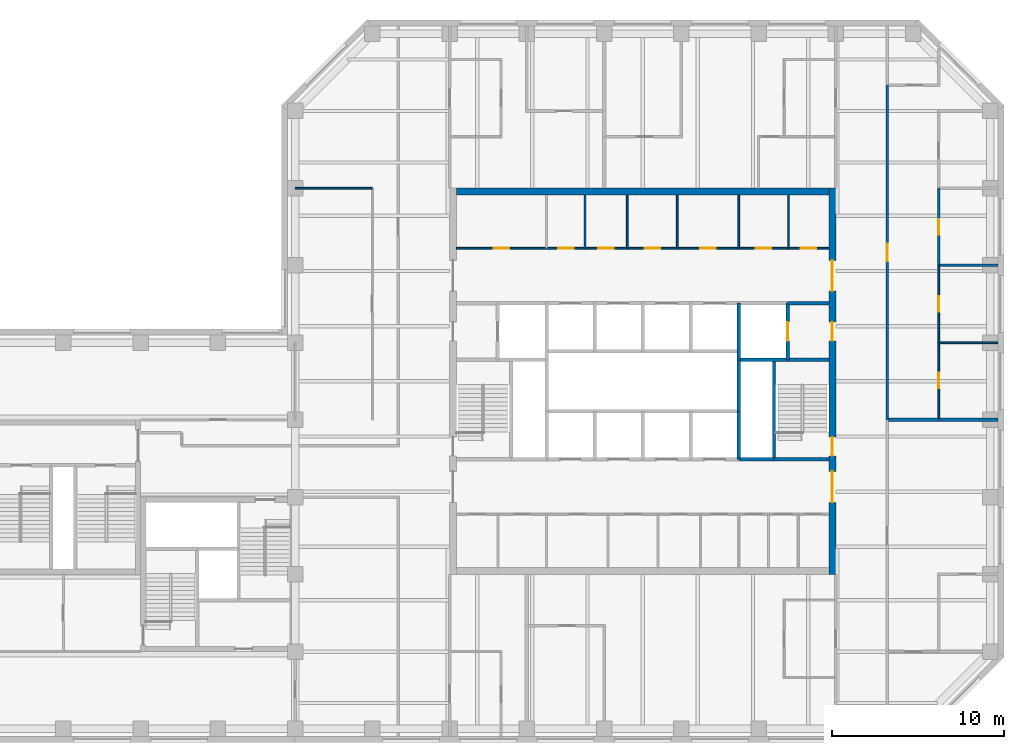
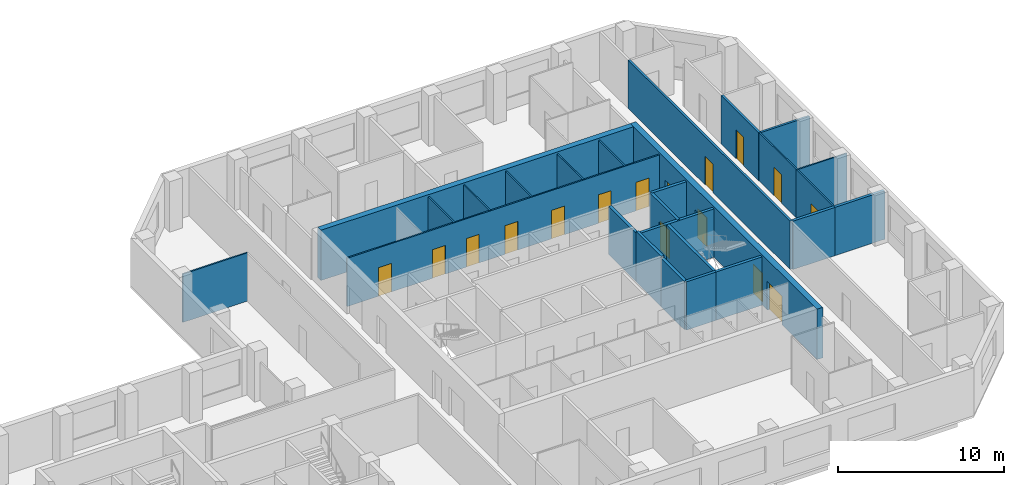
# One storey, part 6 of 9: 26 walls, 16 doors, 16 openings.
"""IFC4 building model written with IfcOpenShell, lengths in metres."""

import ifcopenshell
import ifcopenshell.guid

model = None  # the IFC model being written
_history = None  # IfcOwnerHistory: only IFC2X3 demands one
_inside = {}  # id of a spatial element -> (the spatial element, [elements in it])
_under = {}  # id of a project, library or spatial element -> (it, [spatial elements below it])
_declared = {}  # id of a project -> (the project, [libraries it declares])
_typed = {}  # id of a type object -> (the type object, [elements of that type])
_made_of = {}  # id of a material, layer set ... -> (it, [elements and type objects made of it])


def new_model(schema):
    """Start an empty IFC model of exactly this schema.

    Asked for "IFC4X3", IfcOpenShell would pick the latest addendum, in which some entities
    have other attributes; the version numbers below select the first issue.
    IFC2X3 requires an IfcOwnerHistory on every rooted entity: one is made here for all.
    """
    global model, _history
    if schema == "IFC4X3":
        model = ifcopenshell.file(schema_version=(4, 3, 0, 0))
    else:
        model = ifcopenshell.file(schema=schema)
    _inside.clear()
    _under.clear()
    _declared.clear()
    _typed.clear()
    _made_of.clear()
    _history = None
    if model.schema == "IFC2X3":
        org = make("IfcOrganization", Name="unknown")
        user = make(
            "IfcPersonAndOrganization",
            ThePerson=make("IfcPerson", FamilyName="unknown"),
            TheOrganization=org,
        )
        app = make(
            "IfcApplication",
            ApplicationDeveloper=org,
            Version="unknown",
            ApplicationFullName="unknown",
            ApplicationIdentifier="unknown",
        )
        _history = make(
            "IfcOwnerHistory",
            OwningUser=user,
            OwningApplication=app,
            ChangeAction="ADDED",
            CreationDate=0,
        )
    return model


def make(cls, **values):
    """One entity of the class cls with the attributes given. An attribute that is None is left unset."""
    return model.create_entity(
        cls, **{name: value for name, value in values.items() if value is not None}
    )


def rooted(cls, **values):
    """An entity with a GlobalId (a new one), such as an element, a storey or a relation."""
    return make(cls, GlobalId=ifcopenshell.guid.new(), OwnerHistory=_history, **values)


def si_unit(unit_type, name, prefix=None):
    """IfcSIUnit, for example si_unit("LENGTHUNIT", "METRE", prefix="MILLI")."""
    return make("IfcSIUnit", UnitType=unit_type, Prefix=prefix, Name=name)


def assignment(units):
    """IfcUnitAssignment: the units of a project."""
    return None if units is None else make("IfcUnitAssignment", Units=units)


def point(xyz):
    """IfcCartesianPoint."""
    return None if xyz is None else make("IfcCartesianPoint", Coordinates=xyz)


def direction(xyz):
    """IfcDirection."""
    return None if xyz is None else make("IfcDirection", DirectionRatios=xyz)


def frame(location, z_axis=None, x_axis=None):
    """IfcAxis2Placement3D, a coordinate frame: its origin and axes. An axis left out is left unset."""
    return make(
        "IfcAxis2Placement3D",
        Location=point(location),
        Axis=direction(z_axis),
        RefDirection=direction(x_axis),
    )


def frame_2d(location, x_axis=None):
    """IfcAxis2Placement2D, a coordinate frame in the plane: its origin and x axis."""
    return make(
        "IfcAxis2Placement2D", Location=point(location), RefDirection=direction(x_axis)
    )


def origin():
    """The frame at (0, 0, 0) with its axes left unset."""
    return frame((0.0, 0.0, 0.0))


def place(relative_to, where):
    """IfcLocalPlacement: puts the frame where relative to a parent placement (None: the world)."""
    return make(
        "IfcLocalPlacement", PlacementRelTo=relative_to, RelativePlacement=where
    )


def context(
    kind, dimensions, precision=None, world=None, true_north=None, identifier=None
):
    """IfcGeometricRepresentationContext, for example the 3D "Model" context."""
    return make(
        "IfcGeometricRepresentationContext",
        ContextIdentifier=identifier,
        ContextType=kind,
        CoordinateSpaceDimension=dimensions,
        Precision=precision,
        WorldCoordinateSystem=world,
        TrueNorth=true_north,
    )


def subcontext(parent, identifier, kind, view, scale=None):
    """IfcGeometricRepresentationSubContext, for example "Body" below "Model"."""
    return make(
        "IfcGeometricRepresentationSubContext",
        ContextIdentifier=identifier,
        ContextType=kind,
        ParentContext=parent,
        TargetScale=scale,
        TargetView=view,
    )


def project(units=None, contexts=None):
    """IfcProject with its units and contexts."""
    return rooted(
        "IfcProject",
        Name="project",
        RepresentationContexts=contexts,
        UnitsInContext=assignment(units),
    )


def spatial(cls, under=None, at=None, **own):
    """A site, building, storey or space (cls), placed at a placement, below another one or the project."""
    s = rooted(cls, ObjectPlacement=at, **own)
    if under is not None:
        _under.setdefault(under.id(), (under, []))[1].append(s)
    return s


def profile(cls, at=None, kind="AREA", **sizes):
    """A parametric profile (cls). Its sizes go by their IFC names, for example OverallWidth=200.0."""
    return make(cls, ProfileType=kind, Position=at, **sizes)


def rectangle(**sizes):
    """IfcRectangleProfileDef."""
    return profile("IfcRectangleProfileDef", **sizes)


def extrude(swept, where, along, depth):
    """IfcExtrudedAreaSolid: the profile swept, set in the frame where, extruded along a direction by depth."""
    return make(
        "IfcExtrudedAreaSolid",
        SweptArea=swept,
        Position=where,
        ExtrudedDirection=direction(along),
        Depth=depth,
    )


def shape(context_of_items, identifier, shape_type, items):
    """IfcShapeRepresentation: the items that make up one representation, for example the "Body"."""
    return make(
        "IfcShapeRepresentation",
        ContextOfItems=context_of_items,
        RepresentationIdentifier=identifier,
        RepresentationType=shape_type,
        Items=items,
    )


def material(Name=None, Category=None):
    """IfcMaterial."""
    return make("IfcMaterial", Name=Name, Category=Category)


def layer(
    of_material, thickness, ventilated=None, Name=None, Category=None, Priority=None
):
    """IfcMaterialLayer: one layer of a wall or slab, of a material (None: an air gap)."""
    return make(
        "IfcMaterialLayer",
        Material=of_material,
        LayerThickness=thickness,
        IsVentilated=ventilated,
        Name=Name,
        Category=Category,
        Priority=Priority,
    )


def layer_set(layers, Name=None):
    """IfcMaterialLayerSet."""
    return make("IfcMaterialLayerSet", MaterialLayers=layers, LayerSetName=Name)


def made_of(thing, what):
    """Note that an element or type object is made of a material, layer set ...; save() writes the relation."""
    if what is not None:
        _made_of.setdefault(what.id(), (what, []))[1].append(thing)
    return thing


def type_object(cls, material=None, **own):
    """A type object (cls), such as IfcWallType, which elements share."""
    return made_of(rooted(cls, **own), material)


def element(
    cls,
    number,
    at=None,
    inside=None,
    cuts=None,
    type_object=None,
    material=None,
    context=None,
    identifier="Body",
    shape_type=None,
    held_by="IfcProductDefinitionShape",
    body=None,
    shapes=None,
    **own,
):
    """One element of the class cls, such as IfcWall. Its Tag is "e" and its number.

    at: its placement. inside: the storey or other place that contains it. cuts: it is an
    opening in that element (IfcRelVoidsElement). A single representation is given by context,
    identifier, shape_type and body (its items); several are given by shapes. held_by: the class
    of the entity that holds the representations. save() writes the other relations.
    """
    e = rooted(cls, Tag="e%d" % number, ObjectPlacement=at, **own)
    if body is not None:
        shapes = [shape(context, identifier, shape_type, body)]
    if shapes is not None:
        e.Representation = make(held_by, Representations=shapes)
    if inside is not None:
        _inside.setdefault(inside.id(), (inside, []))[1].append(e)
    if cuts is not None:
        rooted(
            "IfcRelVoidsElement", RelatingBuildingElement=cuts, RelatedOpeningElement=e
        )
    if type_object is not None:
        _typed.setdefault(type_object.id(), (type_object, []))[1].append(e)
    return made_of(e, material)


def fill(opening, filler):
    """IfcRelFillsElement: the door or window that sits in an opening."""
    return rooted(
        "IfcRelFillsElement",
        RelatingOpeningElement=opening,
        RelatedBuildingElement=filler,
    )


def aggregate(whole, parts):
    """IfcRelAggregates: a whole, such as a stair, and the parts it consists of."""
    return rooted("IfcRelAggregates", RelatingObject=whole, RelatedObjects=parts)


def save(model, path):
    """Write the relations noted so far, then the file.

    IfcRelAggregates (storeys below a building ...), IfcRelContainedInSpatialStructure (elements
    in a storey), IfcRelDefinesByType, IfcRelAssociatesMaterial and IfcRelDeclares: one each for
    every whole, place, type object, material and project.
    """
    for whole, parts in _under.values():
        aggregate(whole, parts)
    for where, things in _inside.values():
        rooted(
            "IfcRelContainedInSpatialStructure",
            RelatedElements=things,
            RelatingStructure=where,
        )
    for kind, things in _typed.values():
        rooted("IfcRelDefinesByType", RelatedObjects=things, RelatingType=kind)
    for what, things in _made_of.values():
        rooted("IfcRelAssociatesMaterial", RelatedObjects=things, RelatingMaterial=what)
    for by, libraries in _declared.values():
        rooted("IfcRelDeclares", RelatingContext=by, RelatedDefinitions=libraries)
    model.write(path)


model = new_model("IFC4")

# Units and contexts
model_context = context("Model", 3, precision=1e-05, world=origin(), true_north=direction((0.0, 1.0)))
body_context = subcontext(model_context, "Body", "Model", "MODEL_VIEW")
ifc_project = project(units=[si_unit("LENGTHUNIT", "METRE"), si_unit("AREAUNIT", "SQUARE_METRE"), si_unit("VOLUMEUNIT", "CUBIC_METRE"), si_unit("PLANEANGLEUNIT", "RADIAN"), si_unit("MASSUNIT", "GRAM", prefix="KILO")], contexts=[model_context])

# Site, building, storey
site_placement = place(None, origin())
site = spatial("IfcSite", under=ifc_project, at=site_placement, CompositionType="ELEMENT")
building_placement = place(site_placement, origin())
building = spatial("IfcBuilding", under=site, at=building_placement, Name="Quoin Convention Tower", CompositionType="ELEMENT")
storey_placement = place(building_placement, frame((0.0, 0.0, 226.699951171875)))
storey = spatial("IfcBuildingStorey", under=building, at=storey_placement, Name="L59", CompositionType="ELEMENT", Elevation=226.699951171875)

# Wall
ifc_material_1 = material(Name="Plasterboard")
ifc_layer_1 = layer(ifc_material_1, 0.012451171875, Name="Finish")
ifc_material_2 = material(Name="Steel stud framing", Category="steel")
ifc_layer_2 = layer(ifc_material_2, 0.125, Name="Structure")
ifc_layer_3 = layer(ifc_material_1, 0.012451171875, Name="Finish")
ifc_layer_set_1 = layer_set([ifc_layer_1, ifc_layer_2, ifc_layer_3], Name="Steel stud framing")
wall_type_1 = type_object("IfcWallType", Name="Acoustic partition 150", PredefinedType="PARTITIONING", material=ifc_layer_set_1)
wall_1_placement = place(storey_placement, frame((73.574951171875, 67.5, 0.0), z_axis=(0.0, 0.0, 1.0), x_axis=(1.0, 0.0, 0.0)))
element("IfcWall", 1, at=wall_1_placement, inside=storey, type_object=wall_type_1, Name="pw-L59-022", PredefinedType="PARTITIONING", context=body_context, shape_type="SweptSolid", body=[
    extrude(rectangle(XDim=3.375, YDim=0.14990234375, at=frame_2d((1.6875, 0.0))), origin(), (0.0, 0.0, 1.0), 3.550048828125),
])

# Wall, opening, door
wall_2_placement = place(storey_placement, frame((73.5, 67.5, 0.0), z_axis=(0.0, 0.0, 1.0), x_axis=(0.0, 1.0, 0.0)))
wall_2 = element("IfcWall", 2, at=wall_2_placement, inside=storey, type_object=wall_type_1, Name="pw-L59-065", PredefinedType="PARTITIONING", context=body_context, shape_type="SweptSolid", body=[
    extrude(rectangle(XDim=4.5, YDim=0.14990234375, at=frame_2d((2.25, 0.0))), origin(), (0.0, 0.0, 1.0), 3.550048828125),
])
opening_1_placement = place(wall_2_placement, frame((1.800048828125, 0.0, 0.0)))
opening_1 = element("IfcOpeningElement", 3, at=opening_1_placement, cuts=wall_2, Name="Opening DOH10-18", PredefinedType="OPENING", context=body_context, shape_type="SweptSolid", body=[
    extrude(rectangle(XDim=0.89990234375, YDim=2.10009765625, at=frame_2d((0.449951171875, 1.050048828125))), frame((0.0, 0.0849609375, 0.0), z_axis=(0.0, -1.0, 0.0), x_axis=(1.0, 0.0, 0.0)), (0.0, 0.0, 1.0), 0.169921875),
])
ifc_material_3 = material(Name="Steel door leaf", Category="steel")
door_type_1 = type_object("IfcDoorType", Name="Office door 900 x 2100", OperationType="SINGLE_SWING_RIGHT", PredefinedType="DOOR", material=ifc_material_3)
door_1_placement = place(opening_1_placement, origin())
door_1 = element("IfcDoor", 4, at=door_1_placement, inside=storey, type_object=door_type_1, Name="dr-L59-29", OperationType="SINGLE_SWING_RIGHT", OverallHeight=2.10009765625, OverallWidth=0.89990234375, PredefinedType="DOOR", context=body_context, shape_type="SweptSolid", body=[
    extrude(rectangle(XDim=0.89990234375, YDim=2.10009765625, at=frame_2d((0.449951171875, 1.050048828125))), frame((0.0, 0.02490234375, 0.0), z_axis=(0.0, -1.0, 0.0), x_axis=(1.0, 0.0, 0.0)), (0.0, 0.0, 1.0), 0.050048828125),
])
fill(opening_1, door_1)

# Wall, openings, doors
ifc_layer_4 = layer(ifc_material_1, 0.012451171875, Name="Finish")
ifc_layer_5 = layer(ifc_material_2, 0.074951171875, Name="Structure")
ifc_layer_6 = layer(ifc_material_1, 0.012451171875, Name="Finish")
ifc_layer_set_2 = layer_set([ifc_layer_4, ifc_layer_5, ifc_layer_6], Name="Steel stud framing")
wall_type_2 = type_object("IfcWallType", Name="Core partition wall", PredefinedType="PARTITIONING", material=ifc_layer_set_2)
wall_3_placement = place(storey_placement, frame((45.39990234375, 68.5, 0.0), z_axis=(0.0, 0.0, 1.0), x_axis=(1.0, 0.0, 0.0)))
wall_3 = element("IfcWall", 5, at=wall_3_placement, inside=storey, type_object=wall_type_2, Name="cr-C1-L59-h19000_400", PredefinedType="PARTITIONING", context=body_context, shape_type="SweptSolid", body=[
    extrude(rectangle(XDim=21.7001953125, YDim=0.10009765625, at=frame_2d((10.85009765625, 0.0))), origin(), (0.0, 0.0, 1.0), 3.550048828125),
])
opening_2_placement = place(wall_3_placement, frame((20.06884765625, 0.0, 0.0)))
opening_2 = element("IfcOpeningElement", 6, at=opening_2_placement, cuts=wall_3, Name="Opening DCV2-13", PredefinedType="OPENING", context=body_context, shape_type="SweptSolid", body=[
    extrude(rectangle(XDim=0.89990234375, YDim=2.10009765625, at=frame_2d((0.449951171875, 1.050048828125))), frame((0.0, 0.06005859375, 0.0), z_axis=(0.0, -1.0, 0.0), x_axis=(1.0, 0.0, 0.0)), (0.0, 0.0, 1.0), 0.1201171875),
])
opening_3_placement = place(wall_3_placement, frame((17.44384765625, 0.0, 0.0)))
opening_3 = element("IfcOpeningElement", 7, at=opening_3_placement, cuts=wall_3, Name="Opening DCV2-12", PredefinedType="OPENING", context=body_context, shape_type="SweptSolid", body=[
    extrude(rectangle(XDim=0.89990234375, YDim=2.10009765625, at=frame_2d((0.449951171875, 1.050048828125))), frame((0.0, 0.06005859375, 0.0), z_axis=(0.0, -1.0, 0.0), x_axis=(1.0, 0.0, 0.0)), (0.0, 0.0, 1.0), 0.1201171875),
])
opening_4_placement = place(wall_3_placement, frame((2.175048828125, 0.0, 0.0)))
opening_4 = element("IfcOpeningElement", 8, at=opening_4_placement, cuts=wall_3, Name="Opening DCV2-05", PredefinedType="OPENING", context=body_context, shape_type="SweptSolid", body=[
    extrude(rectangle(XDim=0.89990234375, YDim=2.10009765625, at=frame_2d((0.449951171875, 1.050048828125))), frame((0.0, 0.06005859375, 0.0), z_axis=(0.0, -1.0, 0.0), x_axis=(1.0, 0.0, 0.0)), (0.0, 0.0, 1.0), 0.1201171875),
])
opening_5_placement = place(wall_3_placement, frame((14.2080078125, 0.0, 0.0)))
opening_5 = element("IfcOpeningElement", 9, at=opening_5_placement, cuts=wall_3, Name="Opening DCV2-11", PredefinedType="OPENING", context=body_context, shape_type="SweptSolid", body=[
    extrude(rectangle(XDim=0.89990234375, YDim=2.10009765625, at=frame_2d((0.449951171875, 1.050048828125))), frame((0.0, 0.06005859375, 0.0), z_axis=(0.0, -1.0, 0.0), x_axis=(1.0, 0.0, 0.0)), (0.0, 0.0, 1.0), 0.1201171875),
])
opening_6_placement = place(wall_3_placement, frame((10.9599609375, 0.0, 0.0)))
opening_6 = element("IfcOpeningElement", 10, at=opening_6_placement, cuts=wall_3, Name="Opening DCV2-09", PredefinedType="OPENING", context=body_context, shape_type="SweptSolid", body=[
    extrude(rectangle(XDim=0.89990234375, YDim=2.10009765625, at=frame_2d((0.449951171875, 1.050048828125))), frame((0.0, 0.06005859375, 0.0), z_axis=(0.0, -1.0, 0.0), x_axis=(1.0, 0.0, 0.0)), (0.0, 0.0, 1.0), 0.1201171875),
])
opening_7_placement = place(wall_3_placement, frame((8.27197265625, 0.0, 0.0)))
opening_7 = element("IfcOpeningElement", 11, at=opening_7_placement, cuts=wall_3, Name="Opening DCV2-08", PredefinedType="OPENING", context=body_context, shape_type="SweptSolid", body=[
    extrude(rectangle(XDim=0.89990234375, YDim=2.10009765625, at=frame_2d((0.449951171875, 1.050048828125))), frame((0.0, 0.06005859375, 0.0), z_axis=(0.0, -1.0, 0.0), x_axis=(1.0, 0.0, 0.0)), (0.0, 0.0, 1.0), 0.1201171875),
])
opening_8_placement = place(wall_3_placement, frame((5.919921875, 0.0, 0.0)))
opening_8 = element("IfcOpeningElement", 12, at=opening_8_placement, cuts=wall_3, Name="Opening DCV2-06", PredefinedType="OPENING", context=body_context, shape_type="SweptSolid", body=[
    extrude(rectangle(XDim=0.89990234375, YDim=2.10009765625, at=frame_2d((0.449951171875, 1.050048828125))), frame((0.0, 0.06005859375, 0.0), z_axis=(0.0, -1.0, 0.0), x_axis=(1.0, 0.0, 0.0)), (0.0, 0.0, 1.0), 0.1201171875),
])
door_type_2 = type_object("IfcDoorType", Name="Core room door 900 x 2100", OperationType="SINGLE_SWING_LEFT", PredefinedType="DOOR", material=ifc_material_3)
door_2_placement = place(opening_2_placement, origin())
door_2 = element("IfcDoor", 13, at=door_2_placement, inside=storey, type_object=door_type_2, Name="cd-C1-L59-CNE0-lobB-CD5907", OperationType="SINGLE_SWING_RIGHT", OverallHeight=2.10009765625, OverallWidth=0.89990234375, PredefinedType="DOOR", context=body_context, shape_type="SweptSolid", body=[
    extrude(rectangle(XDim=0.89990234375, YDim=2.10009765625, at=frame_2d((0.449951171875, 1.050048828125))), frame((0.0, 0.02490234375, 0.0), z_axis=(0.0, -1.0, 0.0), x_axis=(1.0, 0.0, 0.0)), (0.0, 0.0, 1.0), 0.050048828125),
])
fill(opening_2, door_2)
door_3_placement = place(opening_3_placement, origin())
door_3 = element("IfcDoor", 14, at=door_3_placement, inside=storey, type_object=door_type_2, Name="cd-C1-L59-CNE1-lobB-CD5908", OperationType="SINGLE_SWING_RIGHT", OverallHeight=2.10009765625, OverallWidth=0.89990234375, PredefinedType="DOOR", context=body_context, shape_type="SweptSolid", body=[
    extrude(rectangle(XDim=0.89990234375, YDim=2.10009765625, at=frame_2d((0.449951171875, 1.050048828125))), frame((0.0, 0.02490234375, 0.0), z_axis=(0.0, -1.0, 0.0), x_axis=(1.0, 0.0, 0.0)), (0.0, 0.0, 1.0), 0.050048828125),
])
fill(opening_3, door_3)
door_4_placement = place(opening_4_placement, origin())
door_4 = element("IfcDoor", 15, at=door_4_placement, inside=storey, type_object=door_type_2, Name="cd-C1-L59-CNW0-lobB-CD5909", OperationType="SINGLE_SWING_RIGHT", OverallHeight=2.10009765625, OverallWidth=0.89990234375, PredefinedType="DOOR", context=body_context, shape_type="SweptSolid", body=[
    extrude(rectangle(XDim=0.89990234375, YDim=2.10009765625, at=frame_2d((0.449951171875, 1.050048828125))), frame((0.0, 0.02490234375, 0.0), z_axis=(0.0, -1.0, 0.0), x_axis=(1.0, 0.0, 0.0)), (0.0, 0.0, 1.0), 0.050048828125),
])
fill(opening_4, door_4)
door_5_placement = place(opening_5_placement, origin())
door_5 = element("IfcDoor", 16, at=door_5_placement, inside=storey, type_object=door_type_2, Name="cd-C1-L59-F40-lobB-CD5919", OperationType="SINGLE_SWING_RIGHT", OverallHeight=2.10009765625, OverallWidth=0.89990234375, PredefinedType="DOOR", context=body_context, shape_type="SweptSolid", body=[
    extrude(rectangle(XDim=0.89990234375, YDim=2.10009765625, at=frame_2d((0.449951171875, 1.050048828125))), frame((0.0, 0.02490234375, 0.0), z_axis=(0.0, -1.0, 0.0), x_axis=(1.0, 0.0, 0.0)), (0.0, 0.0, 1.0), 0.050048828125),
])
fill(opening_5, door_5)
door_6_placement = place(opening_6_placement, origin())
door_6 = element("IfcDoor", 17, at=door_6_placement, inside=storey, type_object=door_type_2, Name="cd-C1-L59-F41-lobB-CD5920", OperationType="SINGLE_SWING_RIGHT", OverallHeight=2.10009765625, OverallWidth=0.89990234375, PredefinedType="DOOR", context=body_context, shape_type="SweptSolid", body=[
    extrude(rectangle(XDim=0.89990234375, YDim=2.10009765625, at=frame_2d((0.449951171875, 1.050048828125))), frame((0.0, 0.02490234375, 0.0), z_axis=(0.0, -1.0, 0.0), x_axis=(1.0, 0.0, 0.0)), (0.0, 0.0, 1.0), 0.050048828125),
])
fill(opening_6, door_6)
door_7_placement = place(opening_7_placement, origin())
door_7 = element("IfcDoor", 18, at=door_7_placement, inside=storey, type_object=door_type_2, Name="cd-C1-L59-F42-lobB-CD5921", OperationType="SINGLE_SWING_RIGHT", OverallHeight=2.10009765625, OverallWidth=0.89990234375, PredefinedType="DOOR", context=body_context, shape_type="SweptSolid", body=[
    extrude(rectangle(XDim=0.89990234375, YDim=2.10009765625, at=frame_2d((0.449951171875, 1.050048828125))), frame((0.0, 0.02490234375, 0.0), z_axis=(0.0, -1.0, 0.0), x_axis=(1.0, 0.0, 0.0)), (0.0, 0.0, 1.0), 0.050048828125),
])
fill(opening_7, door_7)
door_8_placement = place(opening_8_placement, origin())
door_8 = element("IfcDoor", 19, at=door_8_placement, inside=storey, type_object=door_type_2, Name="cd-C1-L59-F43-lobB-CD5922", OperationType="SINGLE_SWING_RIGHT", OverallHeight=2.10009765625, OverallWidth=0.89990234375, PredefinedType="DOOR", context=body_context, shape_type="SweptSolid", body=[
    extrude(rectangle(XDim=0.89990234375, YDim=2.10009765625, at=frame_2d((0.449951171875, 1.050048828125))), frame((0.0, 0.02490234375, 0.0), z_axis=(0.0, -1.0, 0.0), x_axis=(1.0, 0.0, 0.0)), (0.0, 0.0, 1.0), 0.050048828125),
])
fill(opening_8, door_8)

# Walls
for number, where, z_axis, x_axis, name in (
    (20, (52.889892578125, 68.5, 0.0), (0.0, 0.0, 1.0), (0.0, 1.0, 0.0), "cr-C1-L59-v7890_19000"),
    (21, (55.35400390625, 68.5, 0.0), (0.0, 0.0, 1.0), (0.0, 1.0, 0.0), "cr-C1-L59-v10354_19000"),
    (22, (58.26611328125, 68.5, 0.0), (0.0, 0.0, 1.0), (0.0, 1.0, 0.0), "cr-C1-L59-v13266_19000"),
    (23, (61.85009765625, 68.5, 0.0), (0.0, 0.0, 1.0), (0.0, 1.0, 0.0), "cr-C1-L59-v16850_19000"),
    (24, (64.737548828125, 68.5, 0.0), (0.0, 0.0, 1.0), (0.0, 1.0, 0.0), "cr-C1-L59-v19738_19000"),
):
    element("IfcWall", number, at=place(storey_placement, frame(where, z_axis=z_axis, x_axis=x_axis)), inside=storey, type_object=wall_type_2, Name=name, PredefinedType="PARTITIONING", context=body_context, shape_type="SweptSolid", body=[
        extrude(rectangle(XDim=3.10009765625, YDim=0.10009765625, at=frame_2d((1.550048828125, 0.0))), origin(), (0.0, 0.0, 1.0), 3.550048828125),
    ])
ifc_material_4 = material(Name="Concrete C50", Category="concrete")
ifc_layer_7 = layer(ifc_material_4, 0.199951171875)
ifc_layer_set_3 = layer_set([ifc_layer_7], Name="Concrete C50")
wall_type_3 = type_object("IfcWallType", Name="Core shaft wall", PredefinedType="SOLIDWALL", material=ifc_layer_set_3)
wall_4_placement = place(storey_placement, frame((61.85009765625, 56.199951171875, 0.0), z_axis=(0.0, 0.0, 1.0), x_axis=(1.0, 0.0, 0.0)))
element("IfcWall", 25, at=wall_4_placement, inside=storey, type_object=wall_type_3, Name="cr-C1-L59-h6700_16850", PredefinedType="SOLIDWALL", context=body_context, shape_type="SweptSolid", body=[
    extrude(rectangle(XDim=2.0498046875, YDim=0.199951171875, at=frame_2d((1.02490234375, 0.0))), origin(), (0.0, 0.0, 1.0), 3.550048828125),
])
wall_5_placement = place(storey_placement, frame((63.89990234375, 56.199951171875, 0.0), z_axis=(0.0, 0.0, 1.0), x_axis=(1.0, 0.0, 0.0)))
element("IfcWall", 26, at=wall_5_placement, inside=storey, type_object=wall_type_3, Name="cr-C1-L59-h6700_18900", PredefinedType="SOLIDWALL", context=body_context, shape_type="SweptSolid", body=[
    extrude(rectangle(XDim=3.2001953125, YDim=0.199951171875, at=frame_2d((1.60009765625, 0.0))), origin(), (0.0, 0.0, 1.0), 3.550048828125),
])
wall_6_placement = place(storey_placement, frame((61.85009765625, 62.0, 0.0), z_axis=(0.0, 0.0, 1.0), x_axis=(1.0, 0.0, 0.0)))
element("IfcWall", 27, at=wall_6_placement, inside=storey, type_object=wall_type_3, Name="cr-C1-L59-h12500_16850", PredefinedType="SOLIDWALL", context=body_context, shape_type="SweptSolid", body=[
    extrude(rectangle(XDim=5.25, YDim=0.199951171875, at=frame_2d((2.625, 0.0))), origin(), (0.0, 0.0, 1.0), 3.550048828125),
])
wall_7_placement = place(storey_placement, frame((64.699951171875, 65.300048828125, 0.0), z_axis=(0.0, 0.0, 1.0), x_axis=(1.0, 0.0, 0.0)))
element("IfcWall", 28, at=wall_7_placement, inside=storey, type_object=wall_type_3, Name="cr-C1-L59-h15800_19700", PredefinedType="SOLIDWALL", context=body_context, shape_type="SweptSolid", body=[
    extrude(rectangle(XDim=2.400146484375, YDim=0.199951171875, at=frame_2d((1.2001953125, 0.0))), origin(), (0.0, 0.0, 1.0), 3.550048828125),
])
wall_8_placement = place(storey_placement, frame((61.85009765625, 56.199951171875, 0.0), z_axis=(0.0, 0.0, 1.0), x_axis=(0.0, 1.0, 0.0)))
element("IfcWall", 29, at=wall_8_placement, inside=storey, type_object=wall_type_3, Name="cr-C1-L59-v16850_6700", PredefinedType="SOLIDWALL", context=body_context, shape_type="SweptSolid", body=[
    extrude(rectangle(XDim=2.800048828125, YDim=0.199951171875, at=frame_2d((1.39990234375, 0.0))), origin(), (0.0, 0.0, 1.0), 3.550048828125),
])
wall_9_placement = place(storey_placement, frame((61.85009765625, 62.0, 0.0), z_axis=(0.0, 0.0, 1.0), x_axis=(0.0, 1.0, 0.0)))
element("IfcWall", 30, at=wall_9_placement, inside=storey, type_object=wall_type_3, Name="cr-C1-L59-v16850_12500", PredefinedType="SOLIDWALL", context=body_context, shape_type="SweptSolid", body=[
    extrude(rectangle(XDim=3.300048828125, YDim=0.199951171875, at=frame_2d((1.64990234375, 0.0))), origin(), (0.0, 0.0, 1.0), 3.550048828125),
])
wall_10_placement = place(storey_placement, frame((63.89990234375, 56.199951171875, 0.0), z_axis=(0.0, 0.0, 1.0), x_axis=(0.0, 1.0, 0.0)))
element("IfcWall", 31, at=wall_10_placement, inside=storey, type_object=wall_type_3, Name="cr-C1-L59-v18900_6700", PredefinedType="SOLIDWALL", context=body_context, shape_type="SweptSolid", body=[
    extrude(rectangle(XDim=5.800048828125, YDim=0.199951171875, at=frame_2d((2.89990234375, 0.0))), origin(), (0.0, 0.0, 1.0), 3.550048828125),
])

# Wall, opening, door
wall_11_placement = place(storey_placement, frame((64.699951171875, 62.0, 0.0), z_axis=(0.0, 0.0, 1.0), x_axis=(0.0, 1.0, 0.0)))
wall_11 = element("IfcWall", 32, at=wall_11_placement, inside=storey, type_object=wall_type_3, Name="cr-C1-L59-v19700_12500", PredefinedType="SOLIDWALL", context=body_context, shape_type="SweptSolid", body=[
    extrude(rectangle(XDim=3.300048828125, YDim=0.199951171875, at=frame_2d((1.64990234375, 0.0))), origin(), (0.0, 0.0, 1.0), 3.550048828125),
])
opening_9_placement = place(wall_11_placement, frame((1.10009765625, 0.0, 0.0)))
opening_9 = element("IfcOpeningElement", 33, at=opening_9_placement, cuts=wall_11, Name="Opening LDFL2", PredefinedType="OPENING", context=body_context, shape_type="SweptSolid", body=[
    extrude(rectangle(XDim=1.10009765625, YDim=2.10009765625, at=frame_2d((0.550048828125, 1.050048828125))), frame((0.0, 0.10986328125, 0.0), z_axis=(0.0, -1.0, 0.0), x_axis=(1.0, 0.0, 0.0)), (0.0, 0.0, 1.0), 0.219970703125),
])
door_type_3 = type_object("IfcDoorType", Name="Lift landing door 1100 x 2100", OperationType="DOUBLE_DOOR_SLIDING", PredefinedType="DOOR", material=ifc_material_3)
door_9_placement = place(opening_9_placement, origin())
door_9 = element("IfcDoor", 34, at=door_9_placement, inside=storey, type_object=door_type_3, Name="cd-C1-L59-FLE-FFE-LDFL2", OperationType="DOUBLE_DOOR_SLIDING", OverallHeight=2.10009765625, OverallWidth=1.10009765625, PredefinedType="DOOR", context=body_context, shape_type="SweptSolid", body=[
    extrude(rectangle(XDim=1.10009765625, YDim=2.10009765625, at=frame_2d((0.550048828125, 1.050048828125))), frame((0.0, 0.02490234375, 0.0), z_axis=(0.0, -1.0, 0.0), x_axis=(1.0, 0.0, 0.0)), (0.0, 0.0, 1.0), 0.050048828125),
])
fill(opening_9, door_9)

# Wall
ifc_layer_8 = layer(ifc_material_4, 0.199951171875)
ifc_layer_set_4 = layer_set([ifc_layer_8], Name="Concrete C50")
wall_type_4 = type_object("IfcWallType", Name="Core shaft wall to the floor level over", PredefinedType="SOLIDWALL", material=ifc_layer_set_4)
wall_12_placement = place(storey_placement, frame((61.85009765625, 59.0, 0.0), z_axis=(0.0, 0.0, 1.0), x_axis=(0.0, 1.0, 0.0)))
element("IfcWall", 35, at=wall_12_placement, inside=storey, type_object=wall_type_4, Name="cr-C1-L59-v16850_9500", PredefinedType="SOLIDWALL", context=body_context, shape_type="SweptSolid", body=[
    extrude(rectangle(XDim=3.0, YDim=0.199951171875, at=frame_2d((1.5, 0.0))), origin(), (0.0, 0.0, 1.0), 3.699951171875),
])

# Wall, opening, door
ifc_layer_9 = layer(ifc_material_1, 0.012451171875, Name="Finish")
ifc_layer_10 = layer(ifc_material_2, 0.125, Name="Structure")
ifc_layer_11 = layer(ifc_material_1, 0.012451171875, Name="Finish")
ifc_layer_set_5 = layer_set([ifc_layer_9, ifc_layer_10, ifc_layer_11], Name="Steel stud framing")
wall_type_5 = type_object("IfcWallType", Name="Corridor wall 150", PredefinedType="PARTITIONING", material=ifc_layer_set_5)
wall_13_placement = place(storey_placement, frame((70.5, 58.5, 0.0), z_axis=(0.0, 0.0, 1.0), x_axis=(0.0, 1.0, 0.0)))
wall_13 = element("IfcWall", 36, at=wall_13_placement, inside=storey, type_object=wall_type_5, Name="pw-L59-058", PredefinedType="PARTITIONING", context=body_context, shape_type="SweptSolid", body=[
    extrude(rectangle(XDim=19.5, YDim=0.14990234375, at=frame_2d((9.75, 0.0))), origin(), (0.0, 0.0, 1.0), 3.550048828125),
])
opening_10_placement = place(wall_13_placement, frame((9.25, 0.0, 0.0)))
opening_10 = element("IfcOpeningElement", 37, at=opening_10_placement, cuts=wall_13, Name="Opening DOH10-15", PredefinedType="OPENING", context=body_context, shape_type="SweptSolid", body=[
    extrude(rectangle(XDim=1.0, YDim=2.10009765625, at=frame_2d((0.5, 1.050048828125))), frame((0.0, 0.0849609375, 0.0), z_axis=(0.0, -1.0, 0.0), x_axis=(1.0, 0.0, 0.0)), (0.0, 0.0, 1.0), 0.169921875),
])
door_type_4 = type_object("IfcDoorType", Name="Tenancy entrance door 1000 x 2100", OperationType="DOUBLE_DOOR_SINGLE_SWING", PredefinedType="DOOR", material=ifc_material_3)
door_10_placement = place(opening_10_placement, frame((1.0, 0.0, 0.0), z_axis=(0.0, 0.0, 1.0), x_axis=(-1.0, 0.0, 0.0)))
door_10 = element("IfcDoor", 38, at=door_10_placement, inside=storey, type_object=door_type_4, Name="dr-L59-25", OperationType="DOUBLE_DOOR_SINGLE_SWING", OverallHeight=2.10009765625, OverallWidth=1.0, PredefinedType="DOOR", context=body_context, shape_type="SweptSolid", body=[
    extrude(rectangle(XDim=1.0, YDim=2.10009765625, at=frame_2d((0.5, 1.050048828125))), frame((0.0, 0.02490234375, 0.0), z_axis=(0.0, -1.0, 0.0), x_axis=(1.0, 0.0, 0.0)), (0.0, 0.0, 1.0), 0.050048828125),
])
fill(opening_10, door_10)

# Wall
ifc_layer_12 = layer(ifc_material_4, 0.39990234375)
ifc_layer_set_6 = layer_set([ifc_layer_12], Name="Concrete C50")
wall_type_6 = type_object("IfcWallType", Name="RC CORE WALL 400 C50", PredefinedType="SHEAR", material=ifc_layer_set_6)
wall_14_placement = place(storey_placement, frame((45.39990234375, 71.800048828125, 0.0), z_axis=(0.0, 0.0, 1.0), x_axis=(1.0, 0.0, 0.0)))
element("IfcWall", 39, at=wall_14_placement, inside=storey, type_object=wall_type_6, Name="cwl-C1-L59-N", PredefinedType="SHEAR", context=body_context, shape_type="SweptSolid", body=[
    extrude(rectangle(XDim=21.7001953125, YDim=0.39990234375, at=frame_2d((10.85009765625, 0.0))), origin(), (0.0, 0.0, 1.0), 3.699951171875),
])

# Wall, openings, doors
wall_15_placement = place(storey_placement, frame((67.300048828125, 49.5, 0.0), z_axis=(0.0, 0.0, 1.0), x_axis=(0.0, 1.0, 0.0)))
wall_15 = element("IfcWall", 40, at=wall_15_placement, inside=storey, type_object=wall_type_6, Name="cwl-C1-L59-E", PredefinedType="SHEAR", context=body_context, shape_type="SweptSolid", body=[
    extrude(rectangle(XDim=22.5, YDim=0.39990234375, at=frame_2d((11.25, 0.0))), origin(), (0.0, 0.0, 1.0), 3.699951171875),
])
opening_11_placement = place(wall_15_placement, frame((4.199951171875, 0.0, 0.0)))
opening_11 = element("IfcOpeningElement", 41, at=opening_11_placement, cuts=wall_15, Name="Opening DCV2-38", PredefinedType="OPENING", context=body_context, shape_type="SweptSolid", body=[
    extrude(rectangle(XDim=1.800048828125, YDim=2.10009765625, at=frame_2d((0.89990234375, 1.050048828125))), frame((0.0, 0.2099609375, 0.0), z_axis=(0.0, -1.0, 0.0), x_axis=(1.0, 0.0, 0.0)), (0.0, 0.0, 1.0), 0.419921875),
])
opening_12_placement = place(wall_15_placement, frame((6.89990234375, 0.0, 0.0)))
opening_12 = element("IfcOpeningElement", 42, at=opening_12_placement, cuts=wall_15, Name="Opening SD2", PredefinedType="OPENING", context=body_context, shape_type="SweptSolid", body=[
    extrude(rectangle(XDim=1.10009765625, YDim=2.10009765625, at=frame_2d((0.550048828125, 1.050048828125))), frame((0.0, 0.2099609375, 0.0), z_axis=(0.0, -1.0, 0.0), x_axis=(1.0, 0.0, 0.0)), (0.0, 0.0, 1.0), 0.419921875),
])
opening_13_placement = place(wall_15_placement, frame((13.60009765625, 0.0, 0.0)))
opening_13 = element("IfcOpeningElement", 43, at=opening_13_placement, cuts=wall_15, Name="Opening DCV2-37", PredefinedType="OPENING", context=body_context, shape_type="SweptSolid", body=[
    extrude(rectangle(XDim=1.10009765625, YDim=2.10009765625, at=frame_2d((0.550048828125, 1.050048828125))), frame((0.0, 0.2099609375, 0.0), z_axis=(0.0, -1.0, 0.0), x_axis=(1.0, 0.0, 0.0)), (0.0, 0.0, 1.0), 0.419921875),
])
opening_14_placement = place(wall_15_placement, frame((16.5, 0.0, 0.0)))
opening_14 = element("IfcOpeningElement", 44, at=opening_14_placement, cuts=wall_15, Name="Opening DCV2-38", PredefinedType="OPENING", context=body_context, shape_type="SweptSolid", body=[
    extrude(rectangle(XDim=1.800048828125, YDim=2.10009765625, at=frame_2d((0.89990234375, 1.050048828125))), frame((0.0, 0.2099609375, 0.0), z_axis=(0.0, -1.0, 0.0), x_axis=(1.0, 0.0, 0.0)), (0.0, 0.0, 1.0), 0.419921875),
])
door_type_5 = type_object("IfcDoorType", Name="Fire-fighting lobby door 1100 x 2100", OperationType="SINGLE_SWING_LEFT", PredefinedType="DOOR", material=ifc_material_3)
door_11_placement = place(opening_13_placement, origin())
door_11 = element("IfcDoor", 45, at=door_11_placement, inside=storey, type_object=door_type_5, Name="cd-C1-L59-FFE-E", OperationType="SINGLE_SWING_RIGHT", OverallHeight=2.10009765625, OverallWidth=1.10009765625, PredefinedType="DOOR", context=body_context, shape_type="SweptSolid", body=[
    extrude(rectangle(XDim=1.10009765625, YDim=2.10009765625, at=frame_2d((0.550048828125, 1.050048828125))), frame((0.0, 0.02490234375, 0.0), z_axis=(0.0, -1.0, 0.0), x_axis=(1.0, 0.0, 0.0)), (0.0, 0.0, 1.0), 0.050048828125),
])
fill(opening_13, door_11)
door_type_6 = type_object("IfcDoorType", Name="Lift lobby door 1800 x 2100", OperationType="SINGLE_SWING_LEFT", PredefinedType="DOOR", material=ifc_material_3)
door_12_placement = place(opening_11_placement, origin())
door_12 = element("IfcDoor", 46, at=door_12_placement, inside=storey, type_object=door_type_6, Name="cd-C1-L59-lobA-E", OperationType="SINGLE_SWING_RIGHT", OverallHeight=2.10009765625, OverallWidth=1.800048828125, PredefinedType="DOOR", context=body_context, shape_type="SweptSolid", body=[
    extrude(rectangle(XDim=1.800048828125, YDim=2.10009765625, at=frame_2d((0.89990234375, 1.050048828125))), frame((0.0, 0.02490234375, 0.0), z_axis=(0.0, -1.0, 0.0), x_axis=(1.0, 0.0, 0.0)), (0.0, 0.0, 1.0), 0.050048828125),
])
fill(opening_11, door_12)
door_13_placement = place(opening_14_placement, origin())
door_13 = element("IfcDoor", 47, at=door_13_placement, inside=storey, type_object=door_type_6, Name="cd-C1-L59-lobB-E", OperationType="SINGLE_SWING_RIGHT", OverallHeight=2.10009765625, OverallWidth=1.800048828125, PredefinedType="DOOR", context=body_context, shape_type="SweptSolid", body=[
    extrude(rectangle(XDim=1.800048828125, YDim=2.10009765625, at=frame_2d((0.89990234375, 1.050048828125))), frame((0.0, 0.02490234375, 0.0), z_axis=(0.0, -1.0, 0.0), x_axis=(1.0, 0.0, 0.0)), (0.0, 0.0, 1.0), 0.050048828125),
])
fill(opening_14, door_13)
door_type_7 = type_object("IfcDoorType", Name="Stair door 1100 x 2100", OperationType="SINGLE_SWING_RIGHT", PredefinedType="DOOR", material=ifc_material_3)
door_14_placement = place(opening_12_placement, origin())
door_14 = element("IfcDoor", 48, at=door_14_placement, inside=storey, type_object=door_type_7, Name="cd-C1-L59-STE-E", OperationType="SINGLE_SWING_LEFT", OverallHeight=2.10009765625, OverallWidth=1.10009765625, PredefinedType="DOOR", context=body_context, shape_type="SweptSolid", body=[
    extrude(rectangle(XDim=1.10009765625, YDim=2.10009765625, at=frame_2d((0.550048828125, 1.050048828125))), frame((0.0, 0.02490234375, 0.0), z_axis=(0.0, -1.0, 0.0), x_axis=(1.0, 0.0, 0.0)), (0.0, 0.0, 1.0), 0.050048828125),
])
fill(opening_12, door_14)

# Wall
ifc_layer_13 = layer(ifc_material_1, 0.012451171875, Name="Finish")
ifc_layer_14 = layer(ifc_material_2, 0.074951171875, Name="Structure")
ifc_layer_15 = layer(ifc_material_1, 0.012451171875, Name="Finish")
ifc_layer_set_7 = layer_set([ifc_layer_13, ifc_layer_14, ifc_layer_15], Name="Steel stud framing")
wall_type_7 = type_object("IfcWallType", Name="Stud partition 100", PredefinedType="PARTITIONING", material=ifc_layer_set_7)
wall_16_placement = place(storey_placement, frame((73.550048828125, 63.0, 0.0), z_axis=(0.0, 0.0, 1.0), x_axis=(1.0, 0.0, 0.0)))
element("IfcWall", 49, at=wall_16_placement, inside=storey, type_object=wall_type_7, Name="pw-L59-020", PredefinedType="PARTITIONING", context=body_context, shape_type="SweptSolid", body=[
    extrude(rectangle(XDim=3.39990234375, YDim=0.10009765625, at=frame_2d((1.699951171875, 0.0))), origin(), (0.0, 0.0, 1.0), 3.550048828125),
])

# Wall, opening, door
wall_17_placement = place(storey_placement, frame((73.5, 58.60009765625, 0.0), z_axis=(0.0, 0.0, 1.0), x_axis=(0.0, 1.0, 0.0)))
wall_17 = element("IfcWall", 50, at=wall_17_placement, inside=storey, type_object=wall_type_7, Name="pw-L59-060", PredefinedType="PARTITIONING", context=body_context, shape_type="SweptSolid", body=[
    extrude(rectangle(XDim=4.39990234375, YDim=0.10009765625, at=frame_2d((2.199951171875, 0.0))), origin(), (0.0, 0.0, 1.0), 3.550048828125),
])
opening_15_placement = place(wall_17_placement, frame((1.75, 0.0, 0.0)))
opening_15 = element("IfcOpeningElement", 51, at=opening_15_placement, cuts=wall_17, Name="Opening DOH10-16", PredefinedType="OPENING", context=body_context, shape_type="SweptSolid", body=[
    extrude(rectangle(XDim=0.89990234375, YDim=2.10009765625, at=frame_2d((0.449951171875, 1.050048828125))), frame((0.0, 0.06005859375, 0.0), z_axis=(0.0, -1.0, 0.0), x_axis=(1.0, 0.0, 0.0)), (0.0, 0.0, 1.0), 0.1201171875),
])
door_15_placement = place(opening_15_placement, origin())
door_15 = element("IfcDoor", 52, at=door_15_placement, inside=storey, type_object=door_type_1, Name="dr-L59-26", OperationType="SINGLE_SWING_RIGHT", OverallHeight=2.10009765625, OverallWidth=0.89990234375, PredefinedType="DOOR", context=body_context, shape_type="SweptSolid", body=[
    extrude(rectangle(XDim=0.89990234375, YDim=2.10009765625, at=frame_2d((0.449951171875, 1.050048828125))), frame((0.0, 0.02490234375, 0.0), z_axis=(0.0, -1.0, 0.0), x_axis=(1.0, 0.0, 0.0)), (0.0, 0.0, 1.0), 0.050048828125),
])
fill(opening_15, door_15)

wall_18_placement = place(storey_placement, frame((73.5, 63.0, 0.0), z_axis=(0.0, 0.0, 1.0), x_axis=(0.0, 1.0, 0.0)))
wall_18 = element("IfcWall", 53, at=wall_18_placement, inside=storey, type_object=wall_type_7, Name="pw-L59-064", PredefinedType="PARTITIONING", context=body_context, shape_type="SweptSolid", body=[
    extrude(rectangle(XDim=4.5, YDim=0.10009765625, at=frame_2d((2.25, 0.0))), origin(), (0.0, 0.0, 1.0), 3.550048828125),
])
opening_16_placement = place(wall_18_placement, frame((1.800048828125, 0.0, 0.0)))
opening_16 = element("IfcOpeningElement", 54, at=opening_16_placement, cuts=wall_18, Name="Opening DOH10-17", PredefinedType="OPENING", context=body_context, shape_type="SweptSolid", body=[
    extrude(rectangle(XDim=0.89990234375, YDim=2.10009765625, at=frame_2d((0.449951171875, 1.050048828125))), frame((0.0, 0.06005859375, 0.0), z_axis=(0.0, -1.0, 0.0), x_axis=(1.0, 0.0, 0.0)), (0.0, 0.0, 1.0), 0.1201171875),
])
door_16_placement = place(opening_16_placement, origin())
door_16 = element("IfcDoor", 55, at=door_16_placement, inside=storey, type_object=door_type_1, Name="dr-L59-27", OperationType="SINGLE_SWING_RIGHT", OverallHeight=2.10009765625, OverallWidth=0.89990234375, PredefinedType="DOOR", context=body_context, shape_type="SweptSolid", body=[
    extrude(rectangle(XDim=0.89990234375, YDim=2.10009765625, at=frame_2d((0.449951171875, 1.050048828125))), frame((0.0, 0.02490234375, 0.0), z_axis=(0.0, -1.0, 0.0), x_axis=(1.0, 0.0, 0.0)), (0.0, 0.0, 1.0), 0.050048828125),
])
fill(opening_16, door_16)

# Walls
wall_19_placement = place(storey_placement, frame((36.0, 72.0, 0.0), z_axis=(0.0, 0.0, 1.0), x_axis=(1.0, 0.0, 0.0)))
element("IfcWall", 56, at=wall_19_placement, inside=storey, type_object=wall_type_7, Name="pw-L59-w01", PredefinedType="PARTITIONING", context=body_context, shape_type="SweptSolid", body=[
    extrude(rectangle(XDim=4.5, YDim=0.10009765625, at=frame_2d((2.25, 0.0))), origin(), (0.0, 0.0, 1.0), 3.550048828125),
])
ifc_layer_16 = layer(ifc_material_1, 0.012451171875, Name="Finish")
ifc_layer_17 = layer(ifc_material_2, 0.175048828125, Name="Structure")
ifc_layer_18 = layer(ifc_material_1, 0.012451171875, Name="Finish")
ifc_layer_set_8 = layer_set([ifc_layer_16, ifc_layer_17, ifc_layer_18], Name="Steel stud framing")
wall_type_8 = type_object("IfcWallType", Name="Tenancy demising wall 200", PredefinedType="PARTITIONING", material=ifc_layer_set_8)
wall_20_placement = place(storey_placement, frame((70.574951171875, 58.5, 0.0), z_axis=(0.0, 0.0, 1.0), x_axis=(1.0, 0.0, 0.0)))
element("IfcWall", 57, at=wall_20_placement, inside=storey, type_object=wall_type_8, Name="pw-L59-017", PredefinedType="PARTITIONING", context=body_context, shape_type="SweptSolid", body=[
    extrude(rectangle(XDim=2.925048828125, YDim=0.199951171875, at=frame_2d((1.46240234375, 0.0))), origin(), (0.0, 0.0, 1.0), 3.550048828125),
])
wall_21_placement = place(storey_placement, frame((73.5, 58.5, 0.0), z_axis=(0.0, 0.0, 1.0), x_axis=(1.0, 0.0, 0.0)))
element("IfcWall", 58, at=wall_21_placement, inside=storey, type_object=wall_type_8, Name="pw-L59-018", PredefinedType="PARTITIONING", context=body_context, shape_type="SweptSolid", body=[
    extrude(rectangle(XDim=3.449951171875, YDim=0.199951171875, at=frame_2d((1.72509765625, 0.0))), origin(), (0.0, 0.0, 1.0), 3.550048828125),
])

save(model, "model.ifc")
